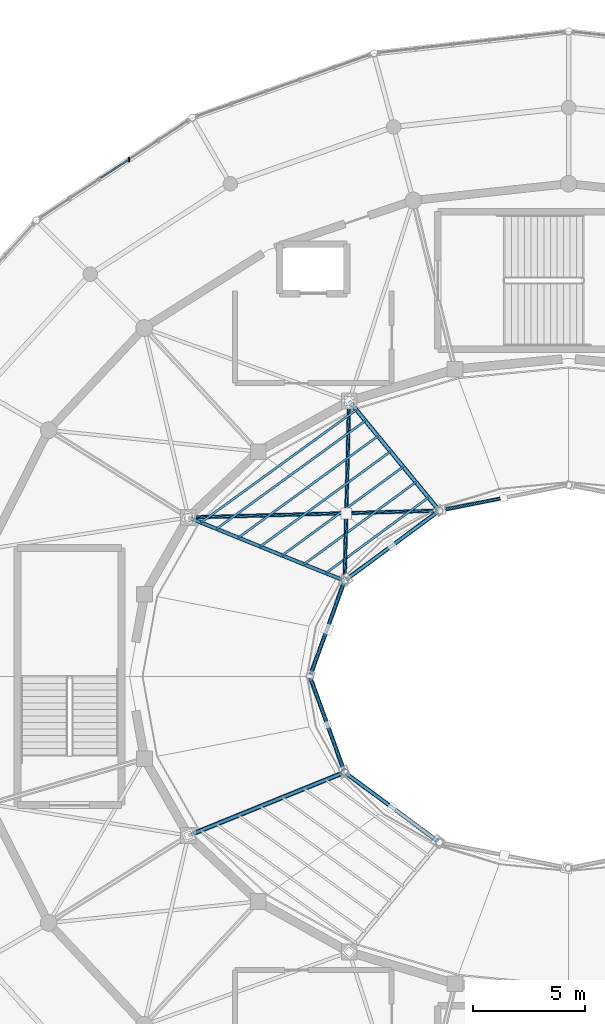
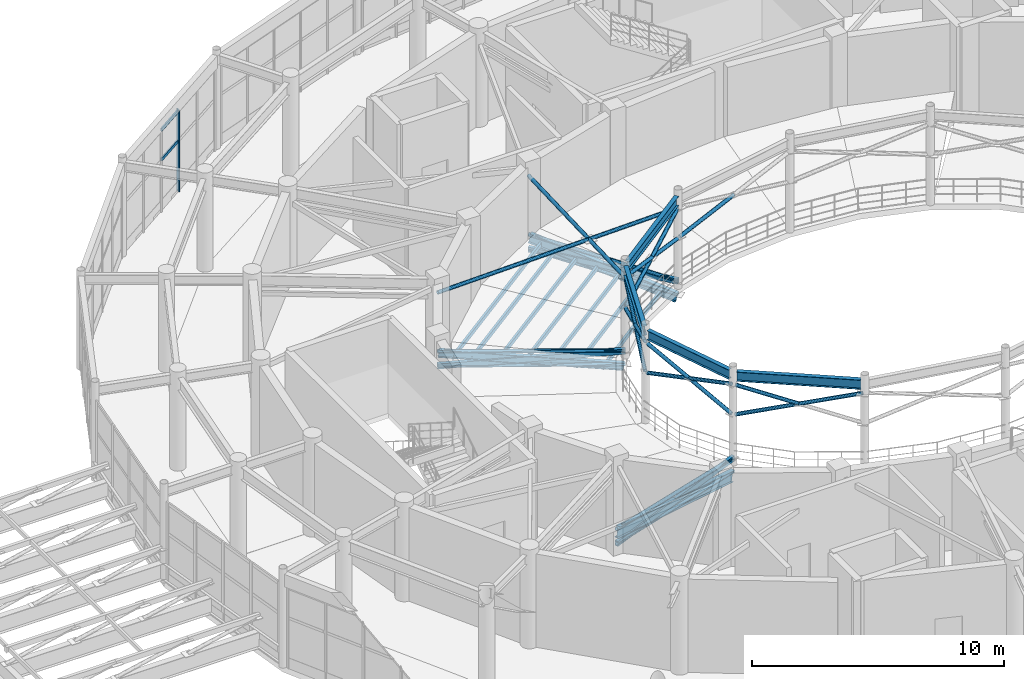
# One storey, part 40 of 144: 34 members, 7 beams, 1 element without a shape of its own.
"""IFC4 building model written with IfcOpenShell, lengths in metres."""

from ifc_helpers import new_model, si_unit, direction, frame, origin, origin_2d, place, context, subcontext, project, spatial, rectangle, hollow_rectangle, hollow_circle, i_section, extrude, material, material_profile, profile_set, type_object, element, aggregate, save


model = new_model("IFC4")

# Units and contexts
model_context = context("Model", 3, precision=1e-05, world=origin(), true_north=direction((0.0, 1.0)))
body_context = subcontext(model_context, "Body", "Model", "MODEL_VIEW")
ifc_project = project(units=[si_unit("LENGTHUNIT", "METRE"), si_unit("AREAUNIT", "SQUARE_METRE"), si_unit("VOLUMEUNIT", "CUBIC_METRE"), si_unit("PLANEANGLEUNIT", "RADIAN"), si_unit("MASSUNIT", "GRAM", prefix="KILO")], contexts=[model_context])

# Site, building, storey
site_placement = place(None, origin())
site = spatial("IfcSite", under=ifc_project, at=site_placement, CompositionType="ELEMENT")
building_placement = place(site_placement, origin())
building = spatial("IfcBuilding", under=site, at=building_placement, Name="Cinderbank Siding Concert Hall", CompositionType="ELEMENT")
storey_placement = place(building_placement, frame((0.0, 0.0, 5.39990234375)))
storey = spatial("IfcBuildingStorey", under=building, at=storey_placement, Name="L02", CompositionType="ELEMENT", Elevation=5.39990234375)

# Beams
ifc_material_1 = material(Name="Structural steel AS/NZS 3679.1 Grade 350 (340 MPa)", Category="steel")
ifc_material_profile_1 = material_profile(ifc_material_1, i_section(OverallWidth=0.18994140625, OverallDepth=0.45751953125, WebThickness=0.009033203125, FlangeThickness=0.014404296875, at=origin_2d()), Name="460UB74.6", Category="LoadBearing")
ifc_profile_set_1 = profile_set([ifc_material_profile_1], Name="Structural steel AS/NZS 3679.1 Grade 350 (340 MPa)")
beam_type_1 = type_object("IfcBeamType", Name="BM-UB460 460UB74.6", PredefinedType="BEAM", material=ifc_profile_set_1)
beam_1_placement = place(storey_placement, frame((116.101318359375, 51.31298828125, 4.29345703125), z_axis=(-0.803752781555, -0.594963415801, 0.0), x_axis=(0.594963415801, -0.803752781555, 0.0)))
element("IfcBeam", 1, at=beam_1_placement, inside=storey, type_object=beam_type_1, Name="L02 Beam BM-UB460 #167", PredefinedType="BEAM", context=body_context, shape_type="SweptSolid", body=[
    extrude(i_section(OverallWidth=0.18994140625, OverallDepth=0.45751953125, WebThickness=0.009033203125, FlangeThickness=0.014404296875, at=origin_2d()), origin(), (0.0, 0.0, 1.0), 4.9521484375),
])
for number, where, z_axis, x_axis, name in (
    (2, (111.945068359375, 48.130126953125, 4.29345703125), (-0.340369084131, -0.940291915613, 0.0), (0.940291915613, -0.340369084131, 0.0), "L02 Beam BM-UB460 #168"),
    (3, (110.50244140625, 43.855224609375, 4.29345703125), (0.340369084131, -0.940291915613, 0.0), (0.940291915613, 0.340369084131, 0.0), "L02 Beam BM-UB460 #169"),
):
    element("IfcBeam", number, at=place(storey_placement, frame(where, z_axis=z_axis, x_axis=x_axis)), inside=storey, type_object=beam_type_1, Name=name, PredefinedType="BEAM", context=body_context, shape_type="SweptSolid", body=[
        extrude(i_section(OverallWidth=0.18994140625, OverallDepth=0.45751953125, WebThickness=0.009033203125, FlangeThickness=0.014404296875, at=origin_2d()), origin(), (0.0, 0.0, 1.0), 4.238525390625),
    ])
beam_2_placement = place(storey_placement, frame((112.12109375, 39.63330078125, 4.29345703125), z_axis=(0.803752781555, -0.594963415801, 0.0), x_axis=(0.594963415801, 0.803752781555, 0.0)))
element("IfcBeam", 4, at=beam_2_placement, inside=storey, type_object=beam_type_1, Name="L02 Beam BM-UB460 #170", PredefinedType="BEAM", context=body_context, shape_type="SweptSolid", body=[
    extrude(i_section(OverallWidth=0.18994140625, OverallDepth=0.45751953125, WebThickness=0.009033203125, FlangeThickness=0.014404296875, at=origin_2d()), origin(), (0.0, 0.0, 1.0), 4.9521484375),
])
ifc_material_profile_2 = material_profile(ifc_material_1, i_section(OverallWidth=0.19091796875, OverallDepth=0.46044921875, WebThickness=0.010009765625, FlangeThickness=0.01611328125, at=origin_2d()), Name="460UB82.1", Category="LoadBearing")
ifc_profile_set_2 = profile_set([ifc_material_profile_2], Name="Structural steel AS/NZS 3679.1 Grade 350 (340 MPa)")
beam_type_2 = type_object("IfcBeamType", Name="BM-UB460H 460UB82.1", PredefinedType="BEAM", material=ifc_profile_set_2)
beam_3_placement = place(storey_placement, frame((116.193115234375, 51.443115234375, -0.485107421875), z_axis=(-0.620880156551, 0.754805988422, 0.211602814355), x_axis=(-0.772294012286, -0.635265266316, 0.0)))
element("IfcBeam", 5, at=beam_3_placement, inside=storey, type_object=beam_type_2, Name="L02 Beam BM-UB460H #100", PredefinedType="BEAM", context=body_context, shape_type="SweptSolid", body=[
    extrude(i_section(OverallWidth=0.19091796875, OverallDepth=0.46044921875, WebThickness=0.010009765625, FlangeThickness=0.01611328125, at=origin_2d()), origin(), (0.0, 0.0, 1.0), 6.38037109375),
])
ifc_material_profile_3 = material_profile(ifc_material_1, i_section(OverallWidth=0.208984375, OverallDepth=0.532958984375, WebThickness=0.01025390625, FlangeThickness=0.015625, at=origin_2d()), Name="530UB92.4", Category="LoadBearing")
ifc_profile_set_3 = profile_set([ifc_material_profile_3], Name="Structural steel AS/NZS 3679.1 Grade 350 (340 MPa)")
beam_type_3 = type_object("IfcBeamType", Name="BM-UB530H 530UB92.4", PredefinedType="BEAM", material=ifc_profile_set_3)
beam_4_placement = place(storey_placement, frame((111.951171875, 39.706298828125, -0.521484375), z_axis=(-0.911831003984, -0.369509029085, 0.17896172104), x_axis=(0.375572253485, -0.926793117374, 0.0)))
element("IfcBeam", 6, at=beam_4_placement, inside=storey, type_object=beam_type_3, Name="L02 Beam BM-UB530H #102", PredefinedType="BEAM", context=body_context, shape_type="SweptSolid", body=[
    extrude(i_section(OverallWidth=0.208984375, OverallDepth=0.532958984375, WebThickness=0.01025390625, FlangeThickness=0.015625, at=origin_2d()), origin(), (0.0, 0.0, 1.0), 7.5439453125),
])

# Members
ifc_material_2 = material(Name="Structural steel hollow section AS/NZS 1163 Grade C350L0 (350 MPa)", Category="steel")
ifc_material_profile_4 = material_profile(ifc_material_2, hollow_circle(Radius=0.084228515625, WallThickness=0.007080078125, at=origin_2d()), Name="168.3x7.1CHS", Category="LoadBearing")
ifc_profile_set_4 = profile_set([ifc_material_profile_4], Name="Structural steel hollow section AS/NZS 1163 Grade C350L0 (350 MPa)")
member_type_1 = type_object("IfcMemberType", Name="BR-CHS168 168.3x7.1CHS Roof Truss", PredefinedType="BRACE", material=ifc_profile_set_4)
member_1_placement = place(storey_placement, frame((116.22509765625, 51.404541015625, 0.300048828125), z_axis=(-0.631448280701, 0.767603957167, 0.109805435845), x_axis=(-0.772273819235, -0.635289814277, 0.0)))
element("IfcMember", 7, at=member_1_placement, inside=storey, type_object=member_type_1, Name="L02 Diagonal Brace BR-CHS168 #RKDG-BR-CHS168-L02-1933", PredefinedType="BRACE", context=body_context, shape_type="SweptSolid", body=[
    extrude(hollow_circle(Radius=0.084228515625, WallThickness=0.007080078125, at=origin_2d()), origin(), (0.0, 0.0, 1.0), 6.37451171875),
])
member_2_placement = place(storey_placement, frame((112.199951171875, 56.297607421875, 0.300048828125), z_axis=(0.631973865139, -0.76824287045, -0.102038844484), x_axis=(0.772273819235, 0.635289814277, 0.0)))
element("IfcMember", 8, at=member_2_placement, inside=storey, type_object=member_type_1, Name="L02 Diagonal Brace BR-CHS168 #RKDG-BR-CHS168-L02-1934", PredefinedType="BRACE", context=body_context, shape_type="SweptSolid", body=[
    extrude(hollow_circle(Radius=0.084228515625, WallThickness=0.007080078125, at=origin_2d()), origin(), (0.0, 0.0, 1.0), 6.369140625),
])
member_3_placement = place(storey_placement, frame((111.997314453125, 48.27490234375, 0.300048828125), z_axis=(-0.9228019157, 0.373968263648, 0.092651833035), x_axis=(-0.375583811967, -0.926788433349, 0.0)))
element("IfcMember", 9, at=member_3_placement, inside=storey, type_object=member_type_1, Name="L02 Diagonal Brace BR-CHS168 #RKDG-BR-CHS168-L02-1936", PredefinedType="BRACE", context=body_context, shape_type="SweptSolid", body=[
    extrude(hollow_circle(Radius=0.084228515625, WallThickness=0.007080078125, at=origin_2d()), origin(), (0.0, 0.0, 1.0), 7.5546875),
])
member_4_placement = place(storey_placement, frame((105.02587890625, 51.10009765625, 0.300048828125), z_axis=(0.923348575784, -0.374189799299, -0.086077881588), x_axis=(0.375583811967, 0.926788433349, 0.0)))
element("IfcMember", 10, at=member_4_placement, inside=storey, type_object=member_type_1, Name="L02 Diagonal Brace BR-CHS168 #RKDG-BR-CHS168-L02-1937", PredefinedType="BRACE", context=body_context, shape_type="SweptSolid", body=[
    extrude(hollow_circle(Radius=0.084228515625, WallThickness=0.007080078125, at=origin_2d()), origin(), (0.0, 0.0, 1.0), 7.550048828125),
])
member_5_placement = place(storey_placement, frame((111.997314453125, 39.72509765625, 0.300048828125), z_axis=(-0.9228019157, -0.373968263648, 0.092651833035), x_axis=(0.375583811967, -0.926788433349, 0.0)))
element("IfcMember", 11, at=member_5_placement, inside=storey, type_object=member_type_1, Name="L02 Diagonal Brace BR-CHS168 #RKDG-BR-CHS168-L02-1939", PredefinedType="BRACE", context=body_context, shape_type="SweptSolid", body=[
    extrude(hollow_circle(Radius=0.084228515625, WallThickness=0.007080078125, at=origin_2d()), origin(), (0.0, 0.0, 1.0), 7.5546875),
])
member_6_placement = place(storey_placement, frame((105.02587890625, 36.89990234375, 0.300048828125), z_axis=(0.923348575784, 0.374189799299, -0.086077881588), x_axis=(-0.375583811967, 0.926788433349, 0.0)))
element("IfcMember", 12, at=member_6_placement, inside=storey, type_object=member_type_1, Name="L02 Diagonal Brace BR-CHS168 #RKDG-BR-CHS168-L02-1940", PredefinedType="BRACE", context=body_context, shape_type="SweptSolid", body=[
    extrude(hollow_circle(Radius=0.084228515625, WallThickness=0.007080078125, at=origin_2d()), origin(), (0.0, 0.0, 1.0), 7.550048828125),
])
member_7_placement = place(storey_placement, frame((116.303466796875, 51.420166015625, 2.400146484375), z_axis=(0.951294098882, 0.188646597752, 0.2438278052), x_axis=(-0.194517417313, 0.980899064309, 0.0)))
element("IfcMember", 13, at=member_7_placement, inside=storey, type_object=member_type_1, Name="L02 Diagonal Brace BR-CHS168 #RKCR-BR-CHS168-L02-2053", PredefinedType="BRACE", context=body_context, shape_type="SweptSolid", body=[
    extrude(hollow_circle(Radius=0.084228515625, WallThickness=0.007080078125, at=origin_2d()), origin(), (0.0, 0.0, 1.0), 2.937744140625),
])
member_8_placement = place(storey_placement, frame((116.16064453125, 51.35693359375, 2.400146484375), z_axis=(-0.773483829379, -0.57261483801, 0.271725988783), x_axis=(0.595001989932, -0.803724226322, 0.0)))
element("IfcMember", 14, at=member_8_placement, inside=storey, type_object=member_type_1, Name="L02 Diagonal Brace BR-CHS168 #RKCR-BR-CHS168-L02-2054", PredefinedType="BRACE", context=body_context, shape_type="SweptSolid", body=[
    extrude(hollow_circle(Radius=0.084228515625, WallThickness=0.007080078125, at=origin_2d()), origin(), (0.0, 0.0, 1.0), 5.29931640625),
])
member_9_placement = place(storey_placement, frame((112.061767578125, 48.322509765625, 2.400146484375), z_axis=(0.773462653494, 0.572660740217, 0.271689529177), x_axis=(-0.595043322136, 0.803693626192, 0.0)))
element("IfcMember", 15, at=member_9_placement, inside=storey, type_object=member_type_1, Name="L02 Diagonal Brace BR-CHS168 #RKCR-BR-CHS168-L02-2055", PredefinedType="BRACE", context=body_context, shape_type="SweptSolid", body=[
    extrude(hollow_circle(Radius=0.084228515625, WallThickness=0.007080078125, at=origin_2d()), origin(), (0.0, 0.0, 1.0), 2.634765625),
])
member_10_placement = place(storey_placement, frame((114.122802734375, 49.848388671875, 3.124267578125), z_axis=(0.773503697063, 0.572598459824, 0.271703946303), x_axis=(-0.59498112384, 0.803739673199, 0.0)))
element("IfcMember", 16, at=member_10_placement, inside=storey, type_object=member_type_1, Name="L02 Diagonal Brace BR-CHS168 #RKCR-BR-CHS168-L02-2055-S181", PredefinedType="BRACE", context=body_context, shape_type="SweptSolid", body=[
    extrude(hollow_circle(Radius=0.084228515625, WallThickness=0.007080078125, at=origin_2d()), origin(), (0.0, 0.0, 1.0), 2.634521484375),
])
member_11_placement = place(storey_placement, frame((116.22509765625, 51.404541015625, 3.840087890625), z_axis=(-0.999630710519, -0.02717430014, 0.0), x_axis=(0.02717430014, -0.999630710519, 0.0)))
element("IfcMember", 17, at=member_11_placement, inside=storey, type_object=member_type_1, Name="L02 Diagonal Brace BR-CHS168 #RKHN-BR-CHS168-L02-2056", PredefinedType="BRACE", context=body_context, shape_type="SweptSolid", body=[
    extrude(hollow_circle(Radius=0.084228515625, WallThickness=0.007080078125, at=origin_2d()), origin(), (0.0, 0.0, 1.0), 11.203369140625),
])
member_12_placement = place(storey_placement, frame((111.997314453125, 48.27490234375, 3.840087890625), z_axis=(0.025286746999, 0.99968023909, 0.0), x_axis=(-0.99968023909, 0.025286746999, 0.0)))
element("IfcMember", 18, at=member_12_placement, inside=storey, type_object=member_type_1, Name="L02 Diagonal Brace BR-CHS168 #RKHN-BR-CHS168-L02-2057", PredefinedType="BRACE", context=body_context, shape_type="SweptSolid", body=[
    extrude(hollow_circle(Radius=0.084228515625, WallThickness=0.007080078125, at=origin_2d()), origin(), (0.0, 0.0, 1.0), 3.002685546875),
])
member_13_placement = place(storey_placement, frame((112.073974609375, 51.306640625, 3.840087890625), z_axis=(0.02523287706, 0.999681600268, 0.0), x_axis=(-0.999681600268, 0.02523287706, 0.0)))
element("IfcMember", 19, at=member_13_placement, inside=storey, type_object=member_type_1, Name="L02 Diagonal Brace BR-CHS168 #RKHN-BR-CHS168-L02-2057-S182", PredefinedType="BRACE", context=body_context, shape_type="SweptSolid", body=[
    extrude(hollow_circle(Radius=0.084228515625, WallThickness=0.007080078125, at=origin_2d()), origin(), (0.0, 0.0, 1.0), 4.99267578125),
])
member_14_placement = place(storey_placement, frame((111.97021484375, 48.19970703125, 2.400146484375), z_axis=(-0.323374434675, -0.893391283629, 0.311899005022), x_axis=(0.940297792876, -0.340352847368, 0.0)))
element("IfcMember", 20, at=member_14_placement, inside=storey, type_object=member_type_1, Name="L02 Diagonal Brace BR-CHS168 #RKCR-BR-CHS168-L02-2058", PredefinedType="BRACE", context=body_context, shape_type="SweptSolid", body=[
    extrude(hollow_circle(Radius=0.084228515625, WallThickness=0.007080078125, at=origin_2d()), origin(), (0.0, 0.0, 1.0), 4.61669921875),
])
member_15_placement = place(storey_placement, frame((110.477294921875, 44.0751953125, 2.400146484375), z_axis=(0.323315832989, 0.893403513482, 0.311924725274), x_axis=(-0.940319021483, 0.34029419307, 0.0)))
element("IfcMember", 21, at=member_15_placement, inside=storey, type_object=member_type_1, Name="L02 Diagonal Brace BR-CHS168 #RKCR-BR-CHS168-L02-2059", PredefinedType="BRACE", context=body_context, shape_type="SweptSolid", body=[
    extrude(hollow_circle(Radius=0.084228515625, WallThickness=0.007080078125, at=origin_2d()), origin(), (0.0, 0.0, 1.0), 2.293212890625),
])
member_16_placement = place(storey_placement, frame((111.228515625, 46.15087890625, 3.124755859375), z_axis=(0.32341115853, 0.893372759179, 0.311913987654), x_axis=(-0.940283163475, 0.340393261515, 0.0)))
element("IfcMember", 22, at=member_16_placement, inside=storey, type_object=member_type_1, Name="L02 Diagonal Brace BR-CHS168 #RKCR-BR-CHS168-L02-2059-S183", PredefinedType="BRACE", context=body_context, shape_type="SweptSolid", body=[
    extrude(hollow_circle(Radius=0.084228515625, WallThickness=0.007080078125, at=origin_2d()), origin(), (0.0, 0.0, 1.0), 2.29345703125),
])
member_17_placement = place(storey_placement, frame((110.477294921875, 43.9248046875, 2.400146484375), z_axis=(0.323374434675, -0.893391283629, 0.311899005022), x_axis=(0.940297792876, 0.340352847368, 0.0)))
element("IfcMember", 23, at=member_17_placement, inside=storey, type_object=member_type_1, Name="L02 Diagonal Brace BR-CHS168 #RKCR-BR-CHS168-L02-2060", PredefinedType="BRACE", context=body_context, shape_type="SweptSolid", body=[
    extrude(hollow_circle(Radius=0.084228515625, WallThickness=0.007080078125, at=origin_2d()), origin(), (0.0, 0.0, 1.0), 4.61669921875),
])
member_18_placement = place(storey_placement, frame((111.97021484375, 39.80029296875, 2.400146484375), z_axis=(-0.32341115853, 0.893372759179, 0.311913987654), x_axis=(-0.940283163475, -0.340393261515, 0.0)))
element("IfcMember", 24, at=member_18_placement, inside=storey, type_object=member_type_1, Name="L02 Diagonal Brace BR-CHS168 #RKCR-BR-CHS168-L02-2061", PredefinedType="BRACE", context=body_context, shape_type="SweptSolid", body=[
    extrude(hollow_circle(Radius=0.084228515625, WallThickness=0.007080078125, at=origin_2d()), origin(), (0.0, 0.0, 1.0), 2.29345703125),
])
member_19_placement = place(storey_placement, frame((111.21875, 41.8759765625, 3.124755859375), z_axis=(-0.323315832989, 0.893403513482, 0.311924725274), x_axis=(-0.940319021483, -0.34029419307, 0.0)))
element("IfcMember", 25, at=member_19_placement, inside=storey, type_object=member_type_1, Name="L02 Diagonal Brace BR-CHS168 #RKCR-BR-CHS168-L02-2061-S184", PredefinedType="BRACE", context=body_context, shape_type="SweptSolid", body=[
    extrude(hollow_circle(Radius=0.084228515625, WallThickness=0.007080078125, at=origin_2d()), origin(), (0.0, 0.0, 1.0), 2.293212890625),
])
member_20_placement = place(storey_placement, frame((112.061767578125, 39.677490234375, 2.400146484375), z_axis=(0.773483829379, -0.57261483801, 0.271725988783), x_axis=(0.595001989932, 0.803724226322, 0.0)))
element("IfcMember", 26, at=member_20_placement, inside=storey, type_object=member_type_1, Name="L02 Diagonal Brace BR-CHS168 #RKCR-BR-CHS168-L02-2062", PredefinedType="BRACE", context=body_context, shape_type="SweptSolid", body=[
    extrude(hollow_circle(Radius=0.084228515625, WallThickness=0.007080078125, at=origin_2d()), origin(), (0.0, 0.0, 1.0), 5.29931640625),
])
member_21_placement = place(storey_placement, frame((114.099609375, 38.168701171875, 3.124267578125), z_axis=(-0.773462653494, 0.572660740217, 0.271689529177), x_axis=(-0.595043322136, -0.803693626192, 0.0)))
element("IfcMember", 27, at=member_21_placement, inside=storey, type_object=member_type_1, Name="L02 Diagonal Brace BR-CHS168 #RKCR-BR-CHS168-L02-2063-S185", PredefinedType="BRACE", context=body_context, shape_type="SweptSolid", body=[
    extrude(hollow_circle(Radius=0.084228515625, WallThickness=0.007080078125, at=origin_2d()), origin(), (0.0, 0.0, 1.0), 2.634765625),
])

# Curtain wall, members
ifc_material_3 = material(Name="Anodised aluminium alloy 6063-T6", Category="aluminium")
curtain_wall_type = type_object("IfcCurtainWallType", Name="CW-09 Unitised Acoustic Curtain Wall 8000x3500", PredefinedType="NOTDEFINED", material=ifc_material_3)
curtain_wall_placement = place(storey_placement, origin())
curtain_wall = element("IfcCurtainWall", 28, at=curtain_wall_placement, inside=storey, type_object=curtain_wall_type, Name="L02 Curtain Wall CW-09 #9", PredefinedType="NOTDEFINED")
ifc_material_profile_5 = material_profile(ifc_material_3, rectangle(XDim=0.06494140625, YDim=0.199951171875, at=origin_2d()), Name="ALU-MULL-65x200", Category="LoadBearing")
ifc_profile_set_5 = profile_set([ifc_material_profile_5], Name="Anodised aluminium alloy 6063-T6")
member_type_2 = type_object("IfcMemberType", Name="CW-ML2 Mullion 65x200", PredefinedType="MULLION", material=ifc_profile_set_5)
member_22_placement = place(storey_placement, frame((102.378662109375, 67.085693359375, 0.0), z_axis=(0.0, 0.0, 1.0), x_axis=(1.0, 0.0, 0.0)))
member_22 = element("IfcMember", 29, at=member_22_placement, type_object=member_type_2, Name="CW-L02-009 Mullion 2", PredefinedType="MULLION", context=body_context, shape_type="SweptSolid", body=[
    extrude(rectangle(XDim=0.06494140625, YDim=0.199951171875, at=origin_2d()), origin(), (0.0, 0.0, 1.0), 3.947021484375),
])
ifc_material_profile_6 = material_profile(ifc_material_3, rectangle(XDim=0.06494140625, YDim=0.14990234375, at=origin_2d()), Name="ALU-TRAN-65x150", Category="LoadBearing")
ifc_profile_set_6 = profile_set([ifc_material_profile_6], Name="Anodised aluminium alloy 6063-T6")
member_type_3 = type_object("IfcMemberType", Name="CW-TR2 Transom 65x150", PredefinedType="USERDEFINED", material=ifc_profile_set_6)
member_23_placement = place(storey_placement, frame((102.312744140625, 67.04248046875, 2.447265625), z_axis=(-0.835531529407, -0.549442502331, 0.0), x_axis=(0.549442502331, -0.835531529407, 0.0)))
member_23 = element("IfcMember", 30, at=member_23_placement, type_object=member_type_3, Name="CW-L02-009 Transom 2-1", ObjectType="TRANSOM", PredefinedType="USERDEFINED", context=body_context, shape_type="SweptSolid", body=[
    extrude(rectangle(XDim=0.06494140625, YDim=0.14990234375, at=origin_2d()), origin(), (0.0, 0.0, 1.0), 1.41748046875),
])
member_24_placement = place(storey_placement, frame((102.312744140625, 67.04248046875, 3.88720703125), z_axis=(-0.835531529407, -0.549442502331, 0.0), x_axis=(0.549442502331, -0.835531529407, 0.0)))
member_24 = element("IfcMember", 31, at=member_24_placement, type_object=member_type_3, Name="CW-L02-009 Transom 2-2", ObjectType="TRANSOM", PredefinedType="USERDEFINED", context=body_context, shape_type="SweptSolid", body=[
    extrude(rectangle(XDim=0.06494140625, YDim=0.14990234375, at=origin_2d()), origin(), (0.0, 0.0, 1.0), 1.41748046875),
])
aggregate(curtain_wall, [member_22, member_23, member_24])

# Beam
ifc_material_profile_7 = material_profile(ifc_material_1, i_section(OverallWidth=0.172119140625, OverallDepth=0.358642578125, WebThickness=0.008056640625, FlangeThickness=0.012939453125, at=origin_2d()), Name="360UB56.7", Category="LoadBearing")
ifc_profile_set_7 = profile_set([ifc_material_profile_7], Name="Structural steel AS/NZS 3679.1 Grade 350 (340 MPa)")
beam_type_4 = type_object("IfcBeamType", Name="JS-UB360H 360UB56.7", PredefinedType="JOIST", material=ifc_profile_set_7)
beam_5_placement = place(storey_placement, frame((111.951171875, 48.293701171875, -0.43408203125), z_axis=(-0.911836284472, 0.369511168942, 0.17893039526), x_axis=(-0.375572253485, -0.926793117374, 0.0)))
element("IfcBeam", 32, at=beam_5_placement, inside=storey, type_object=beam_type_4, Name="L02 Beam JS-UB360H #101", PredefinedType="JOIST", context=body_context, shape_type="SweptSolid", body=[
    extrude(i_section(OverallWidth=0.172119140625, OverallDepth=0.358642578125, WebThickness=0.008056640625, FlangeThickness=0.012939453125, at=origin_2d()), origin(), (0.0, 0.0, 1.0), 7.5439453125),
])

# Members
ifc_material_profile_8 = material_profile(ifc_material_2, hollow_rectangle(XDim=0.10009765625, YDim=0.199951171875, WallThickness=0.008056640625, at=origin_2d()), Name="200x100x8.0RHS", Category="LoadBearing")
ifc_profile_set_8 = profile_set([ifc_material_profile_8], Name="Structural steel hollow section AS/NZS 1163 Grade C350L0 (350 MPa)")
member_type_4 = type_object("IfcMemberType", Name="PR-RHS200 200x100x8.0RHS Roof Truss", PredefinedType="PURLIN", material=ifc_profile_set_8)
member_25_placement = place(storey_placement, frame((115.741943359375, 51.99169921875, -0.43798828125), z_axis=(-0.804873593743, -0.593446289141, 0.0), x_axis=(0.593446289141, -0.804873593743, 0.0)))
element("IfcMember", 33, at=member_25_placement, inside=storey, type_object=member_type_4, Name="L02 Roof Truss Member PR-RHS200 #1970", PredefinedType="PURLIN", context=body_context, shape_type="SweptSolid", body=[
    extrude(hollow_rectangle(XDim=0.10009765625, YDim=0.199951171875, WallThickness=0.008056640625, at=origin_2d()), origin(), (0.0, 0.0, 1.0), 5.691650390625),
])
member_26_placement = place(storey_placement, frame((115.178466796875, 52.6767578125, -0.2490234375), z_axis=(-0.806002667019, -0.591911902869, 0.0), x_axis=(0.591911902869, -0.806002667019, 0.0)))
element("IfcMember", 34, at=member_26_placement, inside=storey, type_object=member_type_4, Name="L02 Roof Truss Member PR-RHS200 #1971", PredefinedType="PURLIN", context=body_context, shape_type="SweptSolid", body=[
    extrude(hollow_rectangle(XDim=0.10009765625, YDim=0.199951171875, WallThickness=0.008056640625, at=origin_2d()), origin(), (0.0, 0.0, 1.0), 6.195556640625),
])
member_27_placement = place(storey_placement, frame((114.614990234375, 53.36181640625, -0.059814453125), z_axis=(-0.806959583064, -0.590606663779, 0.0), x_axis=(0.590606663779, -0.806959583064, 0.0)))
element("IfcMember", 35, at=member_27_placement, inside=storey, type_object=member_type_4, Name="L02 Roof Truss Member PR-RHS200 #1972", PredefinedType="PURLIN", context=body_context, shape_type="SweptSolid", body=[
    extrude(hollow_rectangle(XDim=0.10009765625, YDim=0.199951171875, WallThickness=0.008056640625, at=origin_2d()), origin(), (0.0, 0.0, 1.0), 6.699462890625),
])
member_28_placement = place(storey_placement, frame((114.051513671875, 54.046875, 0.129150390625), z_axis=(-0.807769138252, -0.589498956137, 0.0), x_axis=(0.589498956137, -0.807769138252, 0.0)))
element("IfcMember", 36, at=member_28_placement, inside=storey, type_object=member_type_4, Name="L02 Roof Truss Member PR-RHS200 #1973", PredefinedType="PURLIN", context=body_context, shape_type="SweptSolid", body=[
    extrude(hollow_rectangle(XDim=0.10009765625, YDim=0.199951171875, WallThickness=0.008056640625, at=origin_2d()), origin(), (0.0, 0.0, 1.0), 7.203369140625),
])
member_29_placement = place(storey_placement, frame((113.488037109375, 54.731689453125, 0.318115234375), z_axis=(-0.808497668227, -0.588499380179, 0.0), x_axis=(0.588499380179, -0.808497668227, 0.0)))
element("IfcMember", 37, at=member_29_placement, inside=storey, type_object=member_type_4, Name="L02 Roof Truss Member PR-RHS200 #1974", PredefinedType="PURLIN", context=body_context, shape_type="SweptSolid", body=[
    extrude(hollow_rectangle(XDim=0.10009765625, YDim=0.199951171875, WallThickness=0.008056640625, at=origin_2d()), origin(), (0.0, 0.0, 1.0), 7.70703125),
])
member_30_placement = place(storey_placement, frame((112.924560546875, 55.416748046875, 0.507080078125), z_axis=(-0.80912163461, -0.587641200398, 0.0), x_axis=(0.587641200398, -0.80912163461, 0.0)))
element("IfcMember", 38, at=member_30_placement, inside=storey, type_object=member_type_4, Name="L02 Roof Truss Member PR-RHS200 #1975", PredefinedType="PURLIN", context=body_context, shape_type="SweptSolid", body=[
    extrude(hollow_rectangle(XDim=0.10009765625, YDim=0.199951171875, WallThickness=0.008056640625, at=origin_2d()), origin(), (0.0, 0.0, 1.0), 8.211181640625),
])
member_31_placement = place(storey_placement, frame((112.52197265625, 55.90625, 0.64208984375), z_axis=(-0.809508911887, -0.587107589438, 0.0), x_axis=(0.587107589438, -0.809508911887, 0.0)))
element("IfcMember", 39, at=member_31_placement, inside=storey, type_object=member_type_4, Name="L02 Roof Truss Member PR-RHS200 #1976", PredefinedType="PURLIN", context=body_context, shape_type="SweptSolid", body=[
    extrude(hollow_rectangle(XDim=0.10009765625, YDim=0.199951171875, WallThickness=0.008056640625, at=origin_2d()), origin(), (0.0, 0.0, 1.0), 8.5712890625),
])
ifc_material_profile_9 = material_profile(ifc_material_2, hollow_rectangle(XDim=0.14990234375, YDim=0.25, WallThickness=0.009033203125, at=origin_2d()), Name="250x150x9.0RHS", Category="LoadBearing")
ifc_profile_set_9 = profile_set([ifc_material_profile_9], Name="Structural steel hollow section AS/NZS 1163 Grade C350L0 (350 MPa)")
member_type_5 = type_object("IfcMemberType", Name="TR-RHS250 250x150x9.0RHS Roof Truss", PredefinedType="RAFTER", material=ifc_profile_set_9)
member_32_placement = place(storey_placement, frame((116.22509765625, 51.404541015625, 0.300048828125), z_axis=(-0.635289814277, 0.772273819235, 0.0), x_axis=(-0.772273819235, -0.635289814277, 0.0)))
element("IfcMember", 40, at=member_32_placement, inside=storey, type_object=member_type_5, Name="L02 Roof Truss Member TR-RHS250 #1932", PredefinedType="RAFTER", context=body_context, shape_type="SweptSolid", body=[
    extrude(hollow_rectangle(XDim=0.14990234375, YDim=0.25, WallThickness=0.009033203125, at=origin_2d()), origin(), (0.0, 0.0, 1.0), 6.3359375),
])
for number, where, z_axis, x_axis, name in (
    (41, (111.997314453125, 48.27490234375, 0.300048828125), (-0.926788433349, 0.375583811967, 0.0), (-0.375583811967, -0.926788433349, 0.0), "L02 Roof Truss Member TR-RHS250 #1935"),
    (42, (111.997314453125, 39.72509765625, 0.300048828125), (-0.926788433349, -0.375583811967, 0.0), (0.375583811967, -0.926788433349, 0.0), "L02 Roof Truss Member TR-RHS250 #1938"),
):
    element("IfcMember", number, at=place(storey_placement, frame(where, z_axis=z_axis, x_axis=x_axis)), inside=storey, type_object=member_type_5, Name=name, PredefinedType="RAFTER", context=body_context, shape_type="SweptSolid", body=[
        extrude(hollow_rectangle(XDim=0.14990234375, YDim=0.25, WallThickness=0.009033203125, at=origin_2d()), origin(), (0.0, 0.0, 1.0), 7.522216796875),
    ])

save(model, "model.ifc")
